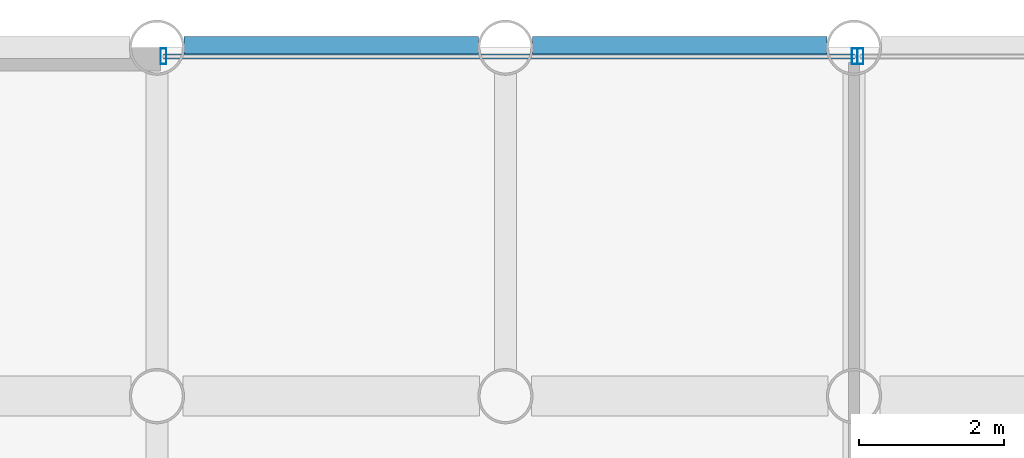
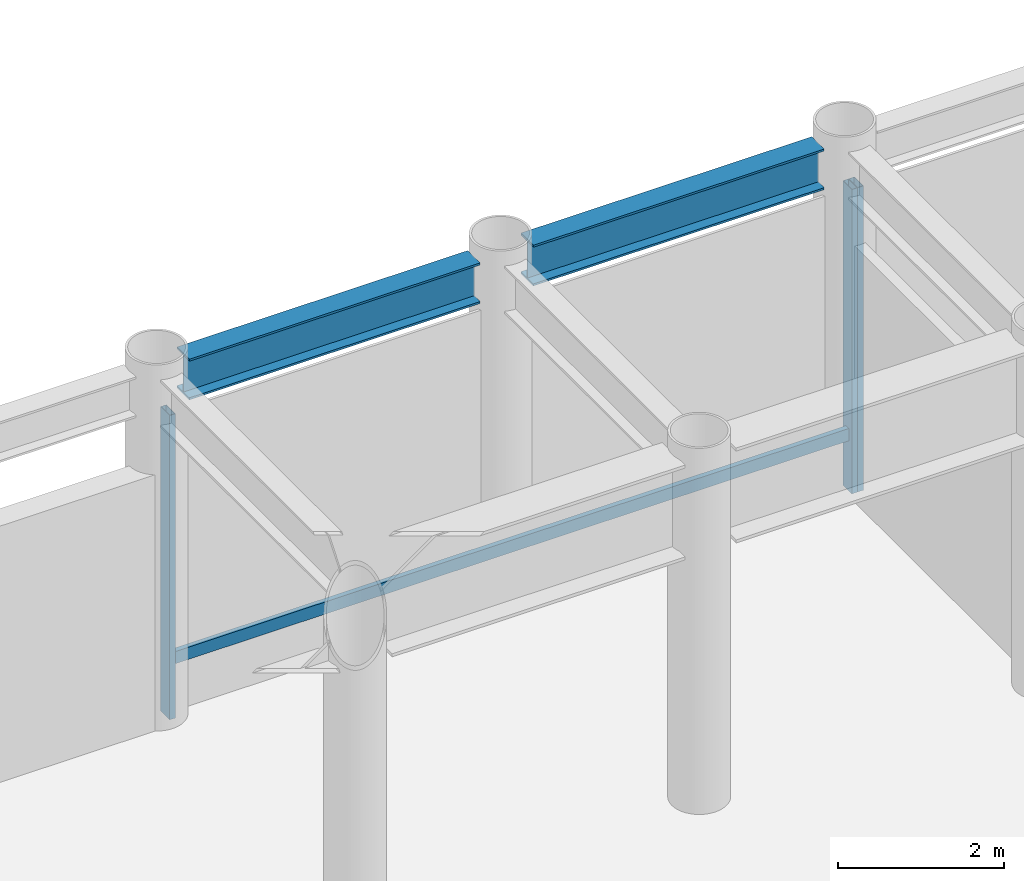
# One storey, part 8 of 17: 4 members, 2 beams, 2 elements without a shape of their own.
"""IFC4 building model written with IfcOpenShell, lengths in metres."""

from ifc_helpers import new_model, si_unit, direction, frame, origin, origin_2d, place, context, subcontext, project, spatial, hollow_rectangle, i_section, extrude, material, layer, layer_set, material_profile, profile_set, type_object, element, aggregate, save


model = new_model("IFC4")

# Units and contexts
model_context = context("Model", 3, precision=1e-05, world=origin(), true_north=direction((0.0, 1.0)))
body_context = subcontext(model_context, "Body", "Model", "MODEL_VIEW")
ifc_project = project(units=[si_unit("LENGTHUNIT", "METRE"), si_unit("AREAUNIT", "SQUARE_METRE"), si_unit("VOLUMEUNIT", "CUBIC_METRE"), si_unit("PLANEANGLEUNIT", "RADIAN"), si_unit("MASSUNIT", "GRAM", prefix="KILO")], contexts=[model_context])

# Site, building, storey
site_placement = place(None, origin())
site = spatial("IfcSite", under=ifc_project, at=site_placement, CompositionType="ELEMENT")
building_placement = place(site_placement, origin())
building = spatial("IfcBuilding", under=site, at=building_placement, Name="Kallvorn Hotel Tower", CompositionType="ELEMENT")
storey_placement = place(building_placement, frame((0.0, 0.0, 19.199951171875)))
storey = spatial("IfcBuildingStorey", under=building, at=storey_placement, Name="L03", CompositionType="ELEMENT", Elevation=19.199951171875)

# Beams
ifc_material_1 = material(Name="Structural steel S355JR", Category="steel")
ifc_material_profile_1 = material_profile(ifc_material_1, i_section(OverallWidth=0.300048828125, OverallDepth=0.60009765625, WebThickness=0.015380859375, FlangeThickness=0.030029296875, at=origin_2d()), Name="HE 600 B")
ifc_profile_set_1 = profile_set([ifc_material_profile_1], Name="Structural steel S355JR")
beam_type = type_object("IfcBeamType", Name="BM_HE600B", PredefinedType="SPANDREL", material=ifc_profile_set_1)
for number, where, z_axis, x_axis, name in (
    (1, (-14.029052734375, 24.0, 4.880126953125), (1.0, 0.0, 0.0), (0.0, 1.0, 0.0), "L04 Perimeter Spandrel 187"),
    (2, (-9.22900390625, 24.0, 4.880126953125), (1.0, 0.0, 0.0), (0.0, 1.0, 0.0), "L04 Perimeter Spandrel 188"),
):
    element("IfcBeam", number, at=place(storey_placement, frame(where, z_axis=z_axis, x_axis=x_axis)), inside=storey, type_object=beam_type, Name=name, PredefinedType="SPANDREL", context=body_context, shape_type="SweptSolid", body=[
        extrude(i_section(OverallWidth=0.300048828125, OverallDepth=0.60009765625, WebThickness=0.015380859375, FlangeThickness=0.030029296875, at=origin_2d()), origin(), (0.0, 0.0, 1.0), 4.05810546875),
    ])

# Curtain wall, members
ifc_material_2 = material(Name="Thermally broken black-anodised aluminium AA 6063-T6", Category="aluminium")
ifc_layer = layer(ifc_material_2, 0.219970703125)
ifc_layer_set = layer_set([ifc_layer], Name="CW_SYS_2_PODIUM_CASC")
curtain_wall_type = type_object("IfcCurtainWallType", Name="CW_SYS_2_PODIUM_CASC", PredefinedType="USERDEFINED", material=ifc_layer_set)
curtain_wall_1_placement = place(storey_placement, origin())
curtain_wall_1 = element("IfcCurtainWall", 3, at=curtain_wall_1_placement, inside=storey, type_object=curtain_wall_type, Name="L03 Dark-Glass Curtain Wall CW-L03-N1", ObjectType="UNITISED CURTAIN WALL", PredefinedType="USERDEFINED")
ifc_material_3 = material(Name="Thermally broken black-anodised aluminium AA 6063-T6", Category="aluminium")
ifc_material_profile_2 = material_profile(ifc_material_3, hollow_rectangle(XDim=0.080078125, YDim=0.219970703125, WallThickness=0.0048828125, at=origin_2d()), Name="MUL 220x80")
ifc_profile_set_2 = profile_set([ifc_material_profile_2], Name="Thermally broken black-anodised aluminium AA 6063-T6")
member_type_1 = type_object("IfcMemberType", Name="CW_MULLION_220x80", PredefinedType="MULLION", material=ifc_profile_set_2)
member_1_placement = place(storey_placement, frame((-14.31005859375, 23.8798828125, 0.02001953125), z_axis=(0.0, 0.0, 1.0), x_axis=(1.0, 0.0, 0.0)))
member_1 = element("IfcMember", 4, at=member_1_placement, type_object=member_type_1, Name="CW-L03-N1 Mullion 00", PredefinedType="MULLION", context=body_context, shape_type="SweptSolid", body=[
    extrude(hollow_rectangle(XDim=0.080078125, YDim=0.219970703125, WallThickness=0.0048828125, at=origin_2d()), origin(), (0.0, 0.0, 1.0), 4.489990234375),
])
member_2_placement = place(storey_placement, frame((-4.7900390625, 23.8798828125, 0.02001953125), z_axis=(0.0, 0.0, 1.0), x_axis=(1.0, 0.0, 0.0)))
member_2 = element("IfcMember", 5, at=member_2_placement, type_object=member_type_1, Name="CW-L03-N1 Mullion 01", PredefinedType="MULLION", context=body_context, shape_type="SweptSolid", body=[
    extrude(hollow_rectangle(XDim=0.080078125, YDim=0.219970703125, WallThickness=0.0048828125, at=origin_2d()), origin(), (0.0, 0.0, 1.0), 4.489990234375),
])

# Curtain wall, member
curtain_wall_2_placement = place(storey_placement, origin())
curtain_wall_2 = element("IfcCurtainWall", 6, at=curtain_wall_2_placement, inside=storey, type_object=curtain_wall_type, Name="L03 Dark-Glass Curtain Wall CW-L03-N2", ObjectType="UNITISED CURTAIN WALL", PredefinedType="USERDEFINED")
member_3_placement = place(storey_placement, frame((-4.7099609375, 23.8798828125, 0.02001953125), z_axis=(0.0, 0.0, 1.0), x_axis=(1.0, 0.0, 0.0)))
member_3 = element("IfcMember", 7, at=member_3_placement, type_object=member_type_1, Name="CW-L03-N2 Mullion 00", PredefinedType="MULLION", context=body_context, shape_type="SweptSolid", body=[
    extrude(hollow_rectangle(XDim=0.080078125, YDim=0.219970703125, WallThickness=0.0048828125, at=origin_2d()), origin(), (0.0, 0.0, 1.0), 4.489990234375),
])
aggregate(curtain_wall_2, [member_3])

# Member
ifc_material_4 = material(Name="Thermally broken black-anodised aluminium AA 6063-T6", Category="aluminium")
ifc_material_profile_3 = material_profile(ifc_material_4, hollow_rectangle(XDim=0.070068359375, YDim=0.179931640625, WallThickness=0.00390625, at=origin_2d()), Name="TRN 180x70")
ifc_profile_set_3 = profile_set([ifc_material_profile_3], Name="Thermally broken black-anodised aluminium AA 6063-T6")
member_type_2 = type_object("IfcMemberType", Name="CW_TRANSOM_180x70", PredefinedType="USERDEFINED", material=ifc_profile_set_3)
member_4_placement = place(storey_placement, frame((-14.31005859375, 23.8798828125, 0.85009765625), z_axis=(1.0, 0.0, 0.0), x_axis=(0.0, 1.0, 0.0)))
member_4 = element("IfcMember", 8, at=member_4_placement, type_object=member_type_2, Name="CW-L03-N1 Transom 00M", ObjectType="TRANSOM", PredefinedType="USERDEFINED", context=body_context, shape_type="SweptSolid", body=[
    extrude(hollow_rectangle(XDim=0.070068359375, YDim=0.179931640625, WallThickness=0.00390625, at=origin_2d()), origin(), (0.0, 0.0, 1.0), 9.52001953125),
])

aggregate(curtain_wall_1, [member_1, member_2, member_4])

save(model, "model.ifc")
